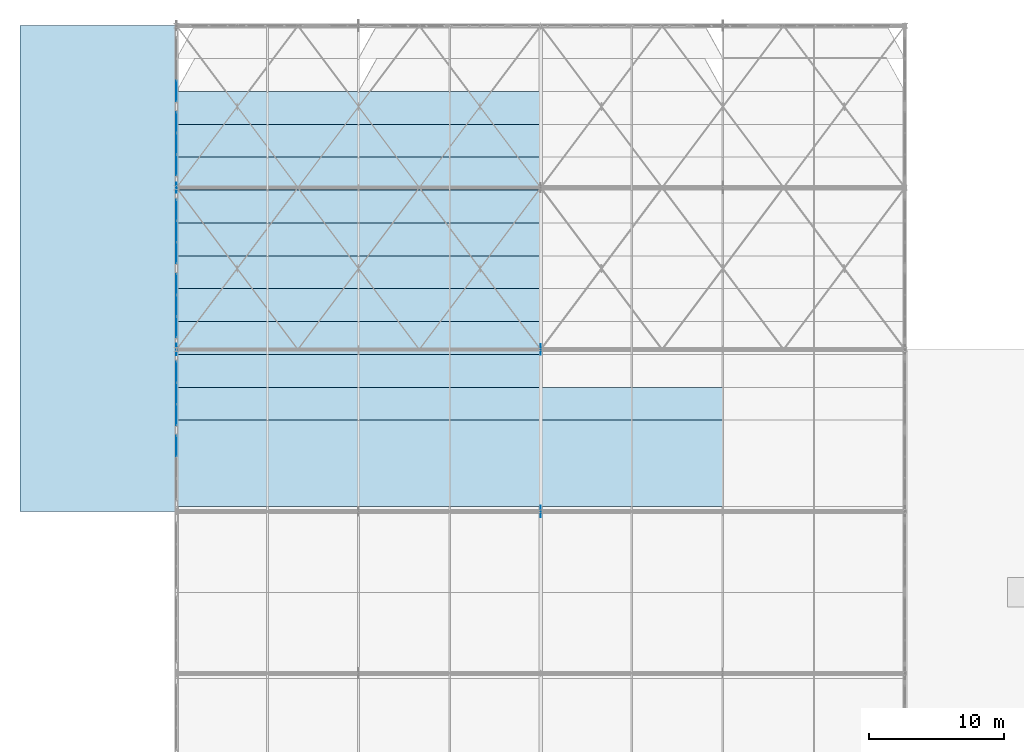
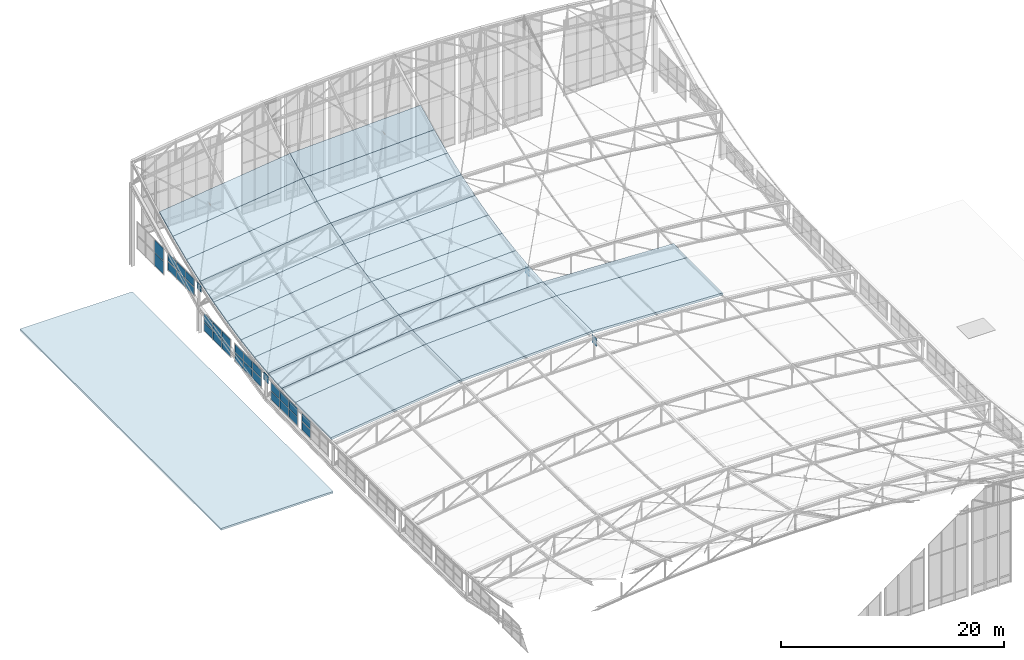
# One storey, part 225 of 262: 32 plates, 25 slabs, 6 elements without a shape of their own.
"""IFC4 building model written with IfcOpenShell, lengths in metres."""

import ifcopenshell
import ifcopenshell.guid

model = None  # the IFC model being written
_history = None  # IfcOwnerHistory: only IFC2X3 demands one
_inside = {}  # id of a spatial element -> (the spatial element, [elements in it])
_under = {}  # id of a project, library or spatial element -> (it, [spatial elements below it])
_declared = {}  # id of a project -> (the project, [libraries it declares])
_typed = {}  # id of a type object -> (the type object, [elements of that type])
_made_of = {}  # id of a material, layer set ... -> (it, [elements and type objects made of it])


def new_model(schema):
    """Start an empty IFC model of exactly this schema.

    Asked for "IFC4X3", IfcOpenShell would pick the latest addendum, in which some entities
    have other attributes; the version numbers below select the first issue.
    IFC2X3 requires an IfcOwnerHistory on every rooted entity: one is made here for all.
    """
    global model, _history
    if schema == "IFC4X3":
        model = ifcopenshell.file(schema_version=(4, 3, 0, 0))
    else:
        model = ifcopenshell.file(schema=schema)
    _inside.clear()
    _under.clear()
    _declared.clear()
    _typed.clear()
    _made_of.clear()
    _history = None
    if model.schema == "IFC2X3":
        org = make("IfcOrganization", Name="unknown")
        user = make(
            "IfcPersonAndOrganization",
            ThePerson=make("IfcPerson", FamilyName="unknown"),
            TheOrganization=org,
        )
        app = make(
            "IfcApplication",
            ApplicationDeveloper=org,
            Version="unknown",
            ApplicationFullName="unknown",
            ApplicationIdentifier="unknown",
        )
        _history = make(
            "IfcOwnerHistory",
            OwningUser=user,
            OwningApplication=app,
            ChangeAction="ADDED",
            CreationDate=0,
        )
    return model


def make(cls, **values):
    """One entity of the class cls with the attributes given. An attribute that is None is left unset."""
    return model.create_entity(
        cls, **{name: value for name, value in values.items() if value is not None}
    )


def rooted(cls, **values):
    """An entity with a GlobalId (a new one), such as an element, a storey or a relation."""
    return make(cls, GlobalId=ifcopenshell.guid.new(), OwnerHistory=_history, **values)


def si_unit(unit_type, name, prefix=None):
    """IfcSIUnit, for example si_unit("LENGTHUNIT", "METRE", prefix="MILLI")."""
    return make("IfcSIUnit", UnitType=unit_type, Prefix=prefix, Name=name)


def derived_unit(unit_type, elements):
    """IfcDerivedUnit: a product of units, each with its exponent."""
    return make(
        "IfcDerivedUnit",
        Elements=[
            make("IfcDerivedUnitElement", Unit=unit, Exponent=power)
            for unit, power in elements
        ],
        UnitType=unit_type,
    )


def assignment(units):
    """IfcUnitAssignment: the units of a project."""
    return None if units is None else make("IfcUnitAssignment", Units=units)


def point(xyz):
    """IfcCartesianPoint."""
    return None if xyz is None else make("IfcCartesianPoint", Coordinates=xyz)


def direction(xyz):
    """IfcDirection."""
    return None if xyz is None else make("IfcDirection", DirectionRatios=xyz)


def frame(location, z_axis=None, x_axis=None):
    """IfcAxis2Placement3D, a coordinate frame: its origin and axes. An axis left out is left unset."""
    return make(
        "IfcAxis2Placement3D",
        Location=point(location),
        Axis=direction(z_axis),
        RefDirection=direction(x_axis),
    )


def frame_2d(location, x_axis=None):
    """IfcAxis2Placement2D, a coordinate frame in the plane: its origin and x axis."""
    return make(
        "IfcAxis2Placement2D", Location=point(location), RefDirection=direction(x_axis)
    )


def origin():
    """The frame at (0, 0, 0) with its axes left unset."""
    return frame((0.0, 0.0, 0.0))


def origin_2d():
    """The frame at (0, 0) in the plane with its x axis left unset."""
    return frame_2d((0.0, 0.0))


def place(relative_to, where):
    """IfcLocalPlacement: puts the frame where relative to a parent placement (None: the world)."""
    return make(
        "IfcLocalPlacement", PlacementRelTo=relative_to, RelativePlacement=where
    )


def context(
    kind, dimensions, precision=None, world=None, true_north=None, identifier=None
):
    """IfcGeometricRepresentationContext, for example the 3D "Model" context."""
    return make(
        "IfcGeometricRepresentationContext",
        ContextIdentifier=identifier,
        ContextType=kind,
        CoordinateSpaceDimension=dimensions,
        Precision=precision,
        WorldCoordinateSystem=world,
        TrueNorth=true_north,
    )


def subcontext(parent, identifier, kind, view, scale=None):
    """IfcGeometricRepresentationSubContext, for example "Body" below "Model"."""
    return make(
        "IfcGeometricRepresentationSubContext",
        ContextIdentifier=identifier,
        ContextType=kind,
        ParentContext=parent,
        TargetScale=scale,
        TargetView=view,
    )


def project(units=None, contexts=None):
    """IfcProject with its units and contexts."""
    return rooted(
        "IfcProject",
        Name="project",
        RepresentationContexts=contexts,
        UnitsInContext=assignment(units),
    )


def spatial(cls, under=None, at=None, **own):
    """A site, building, storey or space (cls), placed at a placement, below another one or the project."""
    s = rooted(cls, ObjectPlacement=at, **own)
    if under is not None:
        _under.setdefault(under.id(), (under, []))[1].append(s)
    return s


def polyline(points):
    """IfcPolyline through the points."""
    return make("IfcPolyline", Points=[point(p) for p in points])


def profile(cls, at=None, kind="AREA", **sizes):
    """A parametric profile (cls). Its sizes go by their IFC names, for example OverallWidth=200.0."""
    return make(cls, ProfileType=kind, Position=at, **sizes)


def rectangle(**sizes):
    """IfcRectangleProfileDef."""
    return profile("IfcRectangleProfileDef", **sizes)


def outline(outer, holes=None, kind="AREA"):
    """IfcArbitraryClosedProfileDef: a profile drawn as a closed curve; with holes, ...WithVoids."""
    if holes is None:
        return make("IfcArbitraryClosedProfileDef", ProfileType=kind, OuterCurve=outer)
    return make(
        "IfcArbitraryProfileDefWithVoids",
        ProfileType=kind,
        OuterCurve=outer,
        InnerCurves=holes,
    )


def extrude(swept, where, along, depth):
    """IfcExtrudedAreaSolid: the profile swept, set in the frame where, extruded along a direction by depth."""
    return make(
        "IfcExtrudedAreaSolid",
        SweptArea=swept,
        Position=where,
        ExtrudedDirection=direction(along),
        Depth=depth,
    )


def shape(context_of_items, identifier, shape_type, items):
    """IfcShapeRepresentation: the items that make up one representation, for example the "Body"."""
    return make(
        "IfcShapeRepresentation",
        ContextOfItems=context_of_items,
        RepresentationIdentifier=identifier,
        RepresentationType=shape_type,
        Items=items,
    )


def material(Name=None, Category=None):
    """IfcMaterial."""
    return make("IfcMaterial", Name=Name, Category=Category)


def layer(
    of_material, thickness, ventilated=None, Name=None, Category=None, Priority=None
):
    """IfcMaterialLayer: one layer of a wall or slab, of a material (None: an air gap)."""
    return make(
        "IfcMaterialLayer",
        Material=of_material,
        LayerThickness=thickness,
        IsVentilated=ventilated,
        Name=Name,
        Category=Category,
        Priority=Priority,
    )


def layer_set(layers, Name=None):
    """IfcMaterialLayerSet."""
    return make("IfcMaterialLayerSet", MaterialLayers=layers, LayerSetName=Name)


def made_of(thing, what):
    """Note that an element or type object is made of a material, layer set ...; save() writes the relation."""
    if what is not None:
        _made_of.setdefault(what.id(), (what, []))[1].append(thing)
    return thing


def type_object(cls, material=None, **own):
    """A type object (cls), such as IfcWallType, which elements share."""
    return made_of(rooted(cls, **own), material)


def element(
    cls,
    number,
    at=None,
    inside=None,
    cuts=None,
    type_object=None,
    material=None,
    context=None,
    identifier="Body",
    shape_type=None,
    held_by="IfcProductDefinitionShape",
    body=None,
    shapes=None,
    **own,
):
    """One element of the class cls, such as IfcWall. Its Tag is "e" and its number.

    at: its placement. inside: the storey or other place that contains it. cuts: it is an
    opening in that element (IfcRelVoidsElement). A single representation is given by context,
    identifier, shape_type and body (its items); several are given by shapes. held_by: the class
    of the entity that holds the representations. save() writes the other relations.
    """
    e = rooted(cls, Tag="e%d" % number, ObjectPlacement=at, **own)
    if body is not None:
        shapes = [shape(context, identifier, shape_type, body)]
    if shapes is not None:
        e.Representation = make(held_by, Representations=shapes)
    if inside is not None:
        _inside.setdefault(inside.id(), (inside, []))[1].append(e)
    if cuts is not None:
        rooted(
            "IfcRelVoidsElement", RelatingBuildingElement=cuts, RelatedOpeningElement=e
        )
    if type_object is not None:
        _typed.setdefault(type_object.id(), (type_object, []))[1].append(e)
    return made_of(e, material)


def aggregate(whole, parts):
    """IfcRelAggregates: a whole, such as a stair, and the parts it consists of."""
    return rooted("IfcRelAggregates", RelatingObject=whole, RelatedObjects=parts)


def save(model, path):
    """Write the relations noted so far, then the file.

    IfcRelAggregates (storeys below a building ...), IfcRelContainedInSpatialStructure (elements
    in a storey), IfcRelDefinesByType, IfcRelAssociatesMaterial and IfcRelDeclares: one each for
    every whole, place, type object, material and project.
    """
    for whole, parts in _under.values():
        aggregate(whole, parts)
    for where, things in _inside.values():
        rooted(
            "IfcRelContainedInSpatialStructure",
            RelatedElements=things,
            RelatingStructure=where,
        )
    for kind, things in _typed.values():
        rooted("IfcRelDefinesByType", RelatedObjects=things, RelatingType=kind)
    for what, things in _made_of.values():
        rooted("IfcRelAssociatesMaterial", RelatedObjects=things, RelatingMaterial=what)
    for by, libraries in _declared.values():
        rooted("IfcRelDeclares", RelatingContext=by, RelatedDefinitions=libraries)
    model.write(path)


model = new_model("IFC4")

# Units and contexts
model_context = context("Model", 3, precision=1e-05, world=origin(), true_north=direction((0.0, 1.0)))
body_context = subcontext(model_context, "Body", "Model", "MODEL_VIEW")
ifc_project = project(units=[si_unit("LENGTHUNIT", "METRE"), si_unit("AREAUNIT", "SQUARE_METRE"), si_unit("VOLUMEUNIT", "CUBIC_METRE"), si_unit("PLANEANGLEUNIT", "RADIAN"), si_unit("MASSUNIT", "GRAM", prefix="KILO"), derived_unit("THERMALTRANSMITTANCEUNIT", [(si_unit("POWERUNIT", "WATT"), 1), (si_unit("LENGTHUNIT", "METRE"), -2), (si_unit("THERMODYNAMICTEMPERATUREUNIT", "KELVIN"), -1)])], contexts=[model_context])

# Site, building, storey
site_placement = place(None, origin())
site = spatial("IfcSite", under=ifc_project, at=site_placement, CompositionType="ELEMENT")
building_placement = place(site_placement, origin())
building = spatial("IfcBuilding", under=site, at=building_placement, Name="Almenara Railside Exhibition Hall", CompositionType="ELEMENT")
storey_placement = place(building_placement, frame((0.0, 0.0, 21.699951171875)))
storey = spatial("IfcBuildingStorey", under=building, at=storey_placement, Name="RF", CompositionType="ELEMENT", Elevation=21.699951171875)

# Curtain wall, plates
ifc_material_1 = material(Name="Bronze-anodised aluminium and low-E double glazing", Category="aluminium")
ifc_layer_1 = layer(ifc_material_1, 0.179931640625, Name="Bronze-anodised aluminium and low-E double glazing")
ifc_layer_set_1 = layer_set([ifc_layer_1], Name="Bronze-anodised aluminium and low-E double glazing")
curtain_wall_type = type_object("IfcCurtainWallType", Name="West Hall Clerestory Curtain Wall 4200x2400", PredefinedType="NOTDEFINED", material=ifc_layer_set_1)
curtain_wall_1_placement = place(storey_placement, origin())
curtain_wall_1 = element("IfcCurtainWall", 1, at=curtain_wall_1_placement, inside=storey, type_object=curtain_wall_type, Name="Curtain wall CW-CL1-185", PredefinedType="NOTDEFINED")
ifc_material_2 = material(Name="Solar-control acoustic laminated glazing", Category="glass")
ifc_layer_2 = layer(ifc_material_2, 0.031982421875, Name="Solar-control acoustic laminated glazing")
ifc_layer_set_2 = layer_set([ifc_layer_2], Name="Solar-control acoustic laminated glazing")
plate_type_1 = type_object("IfcPlateType", Name="Acoustic Low-E Double Glazing Panel 32mm", PredefinedType="CURTAIN_PANEL", material=ifc_layer_set_2)
plate_1_placement = place(storey_placement, frame((12.0, 103.1650390625, -1.9560546875), z_axis=(0.0, 0.0, 1.0), x_axis=(0.0, 1.0, 0.0)))
plate_1 = element("IfcPlate", 2, at=plate_1_placement, type_object=plate_type_1, Name="CW-CL1-185 panel 1.1", PredefinedType="CURTAIN_PANEL", context=body_context, shape_type="SweptSolid", body=[
    extrude(rectangle(XDim=1.52587890625, YDim=0.031982421875, at=origin_2d()), origin(), (0.0, 0.0, 1.0), 0.89208984375),
])
plate_2_placement = place(storey_placement, frame((12.0, 103.1650390625, -0.986083984375), z_axis=(0.0, 0.0, 1.0), x_axis=(0.0, 1.0, 0.0)))
plate_2 = element("IfcPlate", 3, at=plate_2_placement, type_object=plate_type_1, Name="CW-CL1-185 panel 1.2", PredefinedType="CURTAIN_PANEL", context=body_context, shape_type="SweptSolid", body=[
    extrude(rectangle(XDim=1.52587890625, YDim=0.031982421875, at=origin_2d()), origin(), (0.0, 0.0, 1.0), 0.89208984375),
])
plate_3_placement = place(storey_placement, frame((12.0, 104.75, -1.9560546875), z_axis=(0.0, 0.0, 1.0), x_axis=(0.0, 1.0, 0.0)))
plate_3 = element("IfcPlate", 4, at=plate_3_placement, type_object=plate_type_1, Name="CW-CL1-185 panel 2.1", PredefinedType="CURTAIN_PANEL", context=body_context, shape_type="SweptSolid", body=[
    extrude(rectangle(XDim=1.555908203125, YDim=0.031982421875, at=origin_2d()), origin(), (0.0, 0.0, 1.0), 0.89208984375),
])
plate_4_placement = place(storey_placement, frame((12.0, 104.75, -0.986083984375), z_axis=(0.0, 0.0, 1.0), x_axis=(0.0, 1.0, 0.0)))
plate_4 = element("IfcPlate", 5, at=plate_4_placement, type_object=plate_type_1, Name="CW-CL1-185 panel 2.2", PredefinedType="CURTAIN_PANEL", context=body_context, shape_type="SweptSolid", body=[
    extrude(rectangle(XDim=1.555908203125, YDim=0.031982421875, at=origin_2d()), origin(), (0.0, 0.0, 1.0), 0.89208984375),
])
plate_5_placement = place(storey_placement, frame((12.0, 106.3349609375, -1.9560546875), z_axis=(0.0, 0.0, 1.0), x_axis=(0.0, 1.0, 0.0)))
plate_5 = element("IfcPlate", 6, at=plate_5_placement, type_object=plate_type_1, Name="CW-CL1-185 panel 3.1", PredefinedType="CURTAIN_PANEL", context=body_context, shape_type="SweptSolid", body=[
    extrude(rectangle(XDim=1.52587890625, YDim=0.031982421875, at=origin_2d()), origin(), (0.0, 0.0, 1.0), 0.89208984375),
])
plate_6_placement = place(storey_placement, frame((12.0, 106.3349609375, -0.986083984375), z_axis=(0.0, 0.0, 1.0), x_axis=(0.0, 1.0, 0.0)))
plate_6 = element("IfcPlate", 7, at=plate_6_placement, type_object=plate_type_1, Name="CW-CL1-185 panel 3.2", PredefinedType="CURTAIN_PANEL", context=body_context, shape_type="SweptSolid", body=[
    extrude(rectangle(XDim=1.52587890625, YDim=0.031982421875, at=origin_2d()), origin(), (0.0, 0.0, 1.0), 0.89208984375),
])
aggregate(curtain_wall_1, [plate_1, plate_2, plate_3, plate_4, plate_5, plate_6])

curtain_wall_2_placement = place(storey_placement, origin())
curtain_wall_2 = element("IfcCurtainWall", 8, at=curtain_wall_2_placement, inside=storey, type_object=curtain_wall_type, Name="Curtain wall CW-CL1-192", PredefinedType="NOTDEFINED")
ifc_material_3 = material(Name="Clear low-E laminated double glazing", Category="glass")
ifc_layer_3 = layer(ifc_material_3, 0.02392578125, Name="Clear low-E laminated double glazing")
ifc_layer_set_3 = layer_set([ifc_layer_3], Name="Clear low-E laminated double glazing")
plate_type_2 = type_object("IfcPlateType", Name="Courtyard Clear Double Glazing Panel 24mm", PredefinedType="CURTAIN_PANEL", material=ifc_layer_set_3)
plate_7_placement = place(storey_placement, frame((12.0, 121.666259765625, 1.01416015625), z_axis=(0.0, 0.0, 1.0), x_axis=(0.0, 1.0, 0.0)))
plate_7 = element("IfcPlate", 9, at=plate_7_placement, type_object=plate_type_2, Name="CW-CL1-192 panel 1.1", PredefinedType="CURTAIN_PANEL", context=body_context, shape_type="SweptSolid", body=[
    extrude(rectangle(XDim=1.5185546875, YDim=0.02392578125, at=origin_2d()), origin(), (0.0, 0.0, 1.0), 0.846923828125),
])
plate_8_placement = place(storey_placement, frame((12.0, 121.666259765625, 1.96923828125), z_axis=(0.0, 0.0, 1.0), x_axis=(0.0, 1.0, 0.0)))
plate_8 = element("IfcPlate", 10, at=plate_8_placement, type_object=plate_type_2, Name="CW-CL1-192 panel 1.2", PredefinedType="CURTAIN_PANEL", context=body_context, shape_type="SweptSolid", body=[
    extrude(rectangle(XDim=1.5185546875, YDim=0.02392578125, at=origin_2d()), origin(), (0.0, 0.0, 1.0), 0.846923828125),
])
plate_9_placement = place(storey_placement, frame((12.0, 123.25, 1.01416015625), z_axis=(0.0, 0.0, 1.0), x_axis=(0.0, 1.0, 0.0)))
plate_9 = element("IfcPlate", 11, at=plate_9_placement, type_object=plate_type_2, Name="CW-CL1-192 panel 2.1", PredefinedType="CURTAIN_PANEL", context=body_context, shape_type="SweptSolid", body=[
    extrude(rectangle(XDim=1.551025390625, YDim=0.02392578125, at=origin_2d()), origin(), (0.0, 0.0, 1.0), 0.846923828125),
])
plate_10_placement = place(storey_placement, frame((12.0, 123.25, 1.96923828125), z_axis=(0.0, 0.0, 1.0), x_axis=(0.0, 1.0, 0.0)))
plate_10 = element("IfcPlate", 12, at=plate_10_placement, type_object=plate_type_2, Name="CW-CL1-192 panel 2.2", PredefinedType="CURTAIN_PANEL", context=body_context, shape_type="SweptSolid", body=[
    extrude(rectangle(XDim=1.551025390625, YDim=0.02392578125, at=origin_2d()), origin(), (0.0, 0.0, 1.0), 0.846923828125),
])
plate_11_placement = place(storey_placement, frame((12.0, 124.833740234375, 1.01416015625), z_axis=(0.0, 0.0, 1.0), x_axis=(0.0, 1.0, 0.0)))
plate_11 = element("IfcPlate", 13, at=plate_11_placement, type_object=plate_type_2, Name="CW-CL1-192 panel 3.1", PredefinedType="CURTAIN_PANEL", context=body_context, shape_type="SweptSolid", body=[
    extrude(rectangle(XDim=1.5185546875, YDim=0.02392578125, at=origin_2d()), origin(), (0.0, 0.0, 1.0), 0.846923828125),
])
plate_12_placement = place(storey_placement, frame((12.0, 124.833740234375, 1.96923828125), z_axis=(0.0, 0.0, 1.0), x_axis=(0.0, 1.0, 0.0)))
plate_12 = element("IfcPlate", 14, at=plate_12_placement, type_object=plate_type_2, Name="CW-CL1-192 panel 3.2", PredefinedType="CURTAIN_PANEL", context=body_context, shape_type="SweptSolid", body=[
    extrude(rectangle(XDim=1.5185546875, YDim=0.02392578125, at=origin_2d()), origin(), (0.0, 0.0, 1.0), 0.846923828125),
])
aggregate(curtain_wall_2, [plate_7, plate_8, plate_9, plate_10, plate_11, plate_12])

# Slabs
ifc_material_4 = material(Name="Planted green roof insulated steel S355JR deck", Category="steel")
ifc_layer_4 = layer(ifc_material_4, 0.2451171875, Name="Planted green roof insulated steel S355JR deck")
ifc_layer_set_4 = layer_set([ifc_layer_4], Name="Planted green roof insulated steel S355JR deck")
slab_type_1 = type_object("IfcSlabType", Name="Flat Planted Hall Roof Deck 245mm S355JR", PredefinedType="ROOF", material=ifc_layer_set_4)
slab_1_placement = place(storey_placement, frame((12.0, 96.3798828125, 0.340087890625), z_axis=(-0.121312355276, 0.0, 0.992614382556), x_axis=(0.992614382556, 0.0, 0.121312355276)))
element("IfcSlab", 15, at=slab_1_placement, inside=storey, type_object=slab_type_1, Name="V1 roof cassette RC-V1-16A", PredefinedType="ROOF", context=body_context, shape_type="SweptSolid", body=[
    extrude(outline(polyline([(0.0, 0.0), (13.600447703804157, 0.0), (13.600447703804157, 6.379638671875), (0.0, 6.379638671875), (0.0, 0.0)])), origin(), (0.0, 0.0, -1.0), 0.2451171875),
])
for number, where, z_axis, x_axis, name in (
    (16, (25.5, 96.3798828125, 1.989990234375), (-0.04071057978, 0.0, 0.99917098071), (0.99917098071, 0.0, 0.04071057978), "V1 roof cassette RC-V1-16B"),
    (17, (39.0, 96.3798828125, 2.5400390625), (0.04071057978, 0.0, 0.99917098071), (0.99917098071, 0.0, -0.04071057978), "V1 roof cassette RC-V1-16C"),
):
    element("IfcSlab", number, at=place(storey_placement, frame(where, z_axis=z_axis, x_axis=x_axis)), inside=storey, type_object=slab_type_1, Name=name, PredefinedType="ROOF", context=body_context, shape_type="SweptSolid", body=[
        extrude(outline(polyline([(0.0, 0.0), (13.511201046291989, 0.0), (13.511201046291989, 6.379638671875), (0.0, 6.379638671875), (0.0, 0.0)])), origin(), (0.0, 0.0, -1.0), 0.2451171875),
    ])

# Curtain wall, plates
curtain_wall_3_placement = place(storey_placement, origin())
curtain_wall_3 = element("IfcCurtainWall", 18, at=curtain_wall_3_placement, inside=storey, type_object=curtain_wall_type, Name="Curtain wall CW-CL1-188", PredefinedType="NOTDEFINED")
ifc_material_5 = material(Name="Bronze-anodised insulated aluminium spandrel", Category="aluminium")
ifc_layer_5 = layer(ifc_material_5, 0.0400390625, Name="Bronze-anodised insulated aluminium spandrel")
ifc_layer_set_5 = layer_set([ifc_layer_5], Name="Bronze-anodised insulated aluminium spandrel")
plate_type_3 = type_object("IfcPlateType", Name="Insulated Bronze Spandrel Panel 40mm", PredefinedType="CURTAIN_PANEL", material=ifc_layer_set_5)
plate_13_placement = place(storey_placement, frame((12.0, 109.666259765625, -1.666015625), z_axis=(0.0, 0.0, 1.0), x_axis=(0.0, 1.0, 0.0)))
plate_13 = element("IfcPlate", 19, at=plate_13_placement, type_object=plate_type_3, Name="CW-CL1-188 panel 1.1", PredefinedType="CURTAIN_PANEL", context=body_context, shape_type="SweptSolid", body=[
    extrude(rectangle(XDim=1.5185546875, YDim=0.0400390625, at=origin_2d()), origin(), (0.0, 0.0, 1.0), 0.846923828125),
])
plate_14_placement = place(storey_placement, frame((12.0, 109.666259765625, -0.7109375), z_axis=(0.0, 0.0, 1.0), x_axis=(0.0, 1.0, 0.0)))
plate_14 = element("IfcPlate", 20, at=plate_14_placement, type_object=plate_type_3, Name="CW-CL1-188 panel 1.2", PredefinedType="CURTAIN_PANEL", context=body_context, shape_type="SweptSolid", body=[
    extrude(rectangle(XDim=1.5185546875, YDim=0.0400390625, at=origin_2d()), origin(), (0.0, 0.0, 1.0), 0.846923828125),
])
plate_15_placement = place(storey_placement, frame((12.0, 111.25, -1.666015625), z_axis=(0.0, 0.0, 1.0), x_axis=(0.0, 1.0, 0.0)))
plate_15 = element("IfcPlate", 21, at=plate_15_placement, type_object=plate_type_3, Name="CW-CL1-188 panel 2.1", PredefinedType="CURTAIN_PANEL", context=body_context, shape_type="SweptSolid", body=[
    extrude(rectangle(XDim=1.551025390625, YDim=0.0400390625, at=origin_2d()), origin(), (0.0, 0.0, 1.0), 0.846923828125),
])
plate_16_placement = place(storey_placement, frame((12.0, 111.25, -0.7109375), z_axis=(0.0, 0.0, 1.0), x_axis=(0.0, 1.0, 0.0)))
plate_16 = element("IfcPlate", 22, at=plate_16_placement, type_object=plate_type_3, Name="CW-CL1-188 panel 2.2", PredefinedType="CURTAIN_PANEL", context=body_context, shape_type="SweptSolid", body=[
    extrude(rectangle(XDim=1.551025390625, YDim=0.0400390625, at=origin_2d()), origin(), (0.0, 0.0, 1.0), 0.846923828125),
])
plate_17_placement = place(storey_placement, frame((12.0, 112.833740234375, -1.666015625), z_axis=(0.0, 0.0, 1.0), x_axis=(0.0, 1.0, 0.0)))
plate_17 = element("IfcPlate", 23, at=plate_17_placement, type_object=plate_type_3, Name="CW-CL1-188 panel 3.1", PredefinedType="CURTAIN_PANEL", context=body_context, shape_type="SweptSolid", body=[
    extrude(rectangle(XDim=1.5185546875, YDim=0.0400390625, at=origin_2d()), origin(), (0.0, 0.0, 1.0), 0.846923828125),
])
plate_18_placement = place(storey_placement, frame((12.0, 112.833740234375, -0.7109375), z_axis=(0.0, 0.0, 1.0), x_axis=(0.0, 1.0, 0.0)))
plate_18 = element("IfcPlate", 24, at=plate_18_placement, type_object=plate_type_3, Name="CW-CL1-188 panel 3.2", PredefinedType="CURTAIN_PANEL", context=body_context, shape_type="SweptSolid", body=[
    extrude(rectangle(XDim=1.5185546875, YDim=0.0400390625, at=origin_2d()), origin(), (0.0, 0.0, 1.0), 0.846923828125),
])
aggregate(curtain_wall_3, [plate_13, plate_14, plate_15, plate_16, plate_17, plate_18])

curtain_wall_4_placement = place(storey_placement, origin())
curtain_wall_4 = element("IfcCurtainWall", 25, at=curtain_wall_4_placement, inside=storey, type_object=curtain_wall_type, Name="Curtain wall CW-CL1-193", PredefinedType="NOTDEFINED")
plate_19_placement = place(storey_placement, frame((12.0, 127.1650390625, 0.0439453125), z_axis=(0.0, 0.0, 1.0), x_axis=(0.0, 1.0, 0.0)))
plate_19 = element("IfcPlate", 26, at=plate_19_placement, type_object=plate_type_3, Name="CW-CL1-193 panel 1.1", PredefinedType="CURTAIN_PANEL", context=body_context, shape_type="SweptSolid", body=[
    extrude(rectangle(XDim=1.52587890625, YDim=0.0400390625, at=origin_2d()), origin(), (0.0, 0.0, 1.0), 1.362060546875),
])
plate_20_placement = place(storey_placement, frame((12.0, 127.1650390625, 1.48388671875), z_axis=(0.0, 0.0, 1.0), x_axis=(0.0, 1.0, 0.0)))
plate_20 = element("IfcPlate", 27, at=plate_20_placement, type_object=plate_type_3, Name="CW-CL1-193 panel 1.2", PredefinedType="CURTAIN_PANEL", context=body_context, shape_type="SweptSolid", body=[
    extrude(rectangle(XDim=1.52587890625, YDim=0.0400390625, at=origin_2d()), origin(), (0.0, 0.0, 1.0), 1.362060546875),
])
aggregate(curtain_wall_4, [plate_19, plate_20])

curtain_wall_5_placement = place(storey_placement, origin())
curtain_wall_5 = element("IfcCurtainWall", 28, at=curtain_wall_5_placement, inside=storey, type_object=curtain_wall_type, Name="Curtain wall CW-CL1-184", PredefinedType="NOTDEFINED")
ifc_layer_6 = layer(ifc_material_5, 0.034912109375, Name="Bronze-anodised insulated aluminium spandrel")
ifc_layer_set_6 = layer_set([ifc_layer_6], Name="Bronze-anodised insulated aluminium spandrel")
plate_type_4 = type_object("IfcPlateType", Name="Insulated Stucco-Tone Spandrel Panel 35mm", PredefinedType="CURTAIN_PANEL", material=ifc_layer_set_6)
plate_21_placement = place(storey_placement, frame((12.0, 100.833740234375, -1.92578125), z_axis=(0.0, 0.0, 1.0), x_axis=(0.0, 1.0, 0.0)))
plate_21 = element("IfcPlate", 29, at=plate_21_placement, type_object=plate_type_4, Name="CW-CL1-184 panel 3.1", PredefinedType="CURTAIN_PANEL", context=body_context, shape_type="SweptSolid", body=[
    extrude(rectangle(XDim=1.5185546875, YDim=0.034912109375, at=origin_2d()), origin(), (0.0, 0.0, 1.0), 0.846923828125),
])
plate_22_placement = place(storey_placement, frame((12.0, 100.833740234375, -0.970703125), z_axis=(0.0, 0.0, 1.0), x_axis=(0.0, 1.0, 0.0)))
plate_22 = element("IfcPlate", 30, at=plate_22_placement, type_object=plate_type_4, Name="CW-CL1-184 panel 3.2", PredefinedType="CURTAIN_PANEL", context=body_context, shape_type="SweptSolid", body=[
    extrude(rectangle(XDim=1.5185546875, YDim=0.034912109375, at=origin_2d()), origin(), (0.0, 0.0, 1.0), 0.846923828125),
])
aggregate(curtain_wall_5, [plate_21, plate_22])

curtain_wall_6_placement = place(storey_placement, origin())
curtain_wall_6 = element("IfcCurtainWall", 31, at=curtain_wall_6_placement, inside=storey, type_object=curtain_wall_type, Name="Curtain wall CW-CL1-189", PredefinedType="NOTDEFINED")
plate_23_placement = place(storey_placement, frame((12.0, 115.1650390625, -1.696044921875), z_axis=(0.0, 0.0, 1.0), x_axis=(0.0, 1.0, 0.0)))
plate_23 = element("IfcPlate", 32, at=plate_23_placement, type_object=plate_type_4, Name="CW-CL1-189 panel 1.1", PredefinedType="CURTAIN_PANEL", context=body_context, shape_type="SweptSolid", body=[
    extrude(rectangle(XDim=1.52587890625, YDim=0.034912109375, at=origin_2d()), origin(), (0.0, 0.0, 1.0), 0.89208984375),
])
plate_24_placement = place(storey_placement, frame((12.0, 115.1650390625, -0.72607421875), z_axis=(0.0, 0.0, 1.0), x_axis=(0.0, 1.0, 0.0)))
plate_24 = element("IfcPlate", 33, at=plate_24_placement, type_object=plate_type_4, Name="CW-CL1-189 panel 1.2", PredefinedType="CURTAIN_PANEL", context=body_context, shape_type="SweptSolid", body=[
    extrude(rectangle(XDim=1.52587890625, YDim=0.034912109375, at=origin_2d()), origin(), (0.0, 0.0, 1.0), 0.89208984375),
])
plate_25_placement = place(storey_placement, frame((12.0, 116.75, -1.696044921875), z_axis=(0.0, 0.0, 1.0), x_axis=(0.0, 1.0, 0.0)))
plate_25 = element("IfcPlate", 34, at=plate_25_placement, type_object=plate_type_4, Name="CW-CL1-189 panel 2.1", PredefinedType="CURTAIN_PANEL", context=body_context, shape_type="SweptSolid", body=[
    extrude(rectangle(XDim=1.555908203125, YDim=0.034912109375, at=origin_2d()), origin(), (0.0, 0.0, 1.0), 0.89208984375),
])
plate_26_placement = place(storey_placement, frame((12.0, 116.75, -0.72607421875), z_axis=(0.0, 0.0, 1.0), x_axis=(0.0, 1.0, 0.0)))
plate_26 = element("IfcPlate", 35, at=plate_26_placement, type_object=plate_type_4, Name="CW-CL1-189 panel 2.2", PredefinedType="CURTAIN_PANEL", context=body_context, shape_type="SweptSolid", body=[
    extrude(rectangle(XDim=1.555908203125, YDim=0.034912109375, at=origin_2d()), origin(), (0.0, 0.0, 1.0), 0.89208984375),
])
plate_27_placement = place(storey_placement, frame((12.0, 118.3349609375, -1.696044921875), z_axis=(0.0, 0.0, 1.0), x_axis=(0.0, 1.0, 0.0)))
plate_27 = element("IfcPlate", 36, at=plate_27_placement, type_object=plate_type_4, Name="CW-CL1-189 panel 3.1", PredefinedType="CURTAIN_PANEL", context=body_context, shape_type="SweptSolid", body=[
    extrude(rectangle(XDim=1.52587890625, YDim=0.034912109375, at=origin_2d()), origin(), (0.0, 0.0, 1.0), 0.89208984375),
])
plate_28_placement = place(storey_placement, frame((12.0, 118.3349609375, -0.72607421875), z_axis=(0.0, 0.0, 1.0), x_axis=(0.0, 1.0, 0.0)))
plate_28 = element("IfcPlate", 37, at=plate_28_placement, type_object=plate_type_4, Name="CW-CL1-189 panel 3.2", PredefinedType="CURTAIN_PANEL", context=body_context, shape_type="SweptSolid", body=[
    extrude(rectangle(XDim=1.52587890625, YDim=0.034912109375, at=origin_2d()), origin(), (0.0, 0.0, 1.0), 0.89208984375),
])
aggregate(curtain_wall_6, [plate_23, plate_24, plate_25, plate_26, plate_27, plate_28])

# Slabs
ifc_material_6 = material(Name="White standing-seam insulated steel S355JR roof deck", Category="steel")
ifc_layer_7 = layer(ifc_material_6, 0.195068359375, Name="White standing-seam insulated steel S355JR roof deck")
ifc_layer_set_7 = layer_set([ifc_layer_7], Name="White standing-seam insulated steel S355JR roof deck")
slab_type_2 = type_object("IfcSlabType", Name="Scroll Standing-Seam Insulated Roof Cassette 195mm S355JR", PredefinedType="ROOF", material=ifc_layer_set_7)
slab_2_placement = place(storey_placement, frame((12.0, 102.759521484375, 0.340087890625), z_axis=(-0.121279519792, -0.023265093355, 0.992345712698), x_axis=(0.992614382556, 0.0, 0.121312355276)))
element("IfcSlab", 38, at=slab_2_placement, inside=storey, type_object=slab_type_2, Name="V1 roof cassette RC-V1-17A", PredefinedType="ROOF", context=body_context, shape_type="SweptSolid", body=[
    extrude(outline(polyline([(0.0, 0.0), (13.600447703804157, 0.0), (13.607378145975659, 2.437427313932009), (0.006930442171501791, 2.4374273139320084), (0.0, 0.0)])), origin(), (0.0, 0.0, -1.0), 0.195068359375),
])
slab_3_placement = place(storey_placement, frame((25.5, 102.759521484375, 1.989990234375), z_axis=(-0.040699414701, -0.023418684202, 0.99889695308), x_axis=(0.99917098071, 0.0, 0.04071057978)))
element("IfcSlab", 39, at=slab_3_placement, inside=storey, type_object=slab_type_2, Name="V1 roof cassette RC-V1-17B", PredefinedType="ROOF", context=body_context, shape_type="SweptSolid", body=[
    extrude(outline(polyline([(0.0, 0.0), (13.511201046291989, 0.0), (13.51352679718765, 2.4374360571332483), (0.0023257508956614483, 2.437436057133248), (0.0, 0.0)])), origin(), (0.0, 0.0, -1.0), 0.195068359375),
])
slab_4_placement = place(storey_placement, frame((39.0, 102.759521484375, 2.5400390625), z_axis=(0.040699414701, -0.023418684202, 0.99889695308), x_axis=(0.99917098071, 0.0, -0.04071057978)))
element("IfcSlab", 40, at=slab_4_placement, inside=storey, type_object=slab_type_2, Name="V1 roof cassette RC-V1-17C", PredefinedType="ROOF", context=body_context, shape_type="SweptSolid", body=[
    extrude(outline(polyline([(0.0, 0.0), (13.511201046291989, 0.0), (13.508875295396328, 2.437436057133248), (-0.0023257508956614483, 2.437436057133248), (0.0, 0.0)])), origin(), (0.0, 0.0, -1.0), 0.195068359375),
])
slab_5_placement = place(storey_placement, frame((12.0, 105.1962890625, 0.397216796875), z_axis=(-0.121025359122, -0.069792671838, 0.990192832436), x_axis=(0.99261330699, -6.20278e-07, 0.121321155559)))
element("IfcSlab", 41, at=slab_5_placement, inside=storey, type_object=slab_type_2, Name="V1 roof cassette RC-V1-18A", PredefinedType="ROOF", context=body_context, shape_type="SweptSolid", body=[
    extrude(outline(polyline([(0.0, 0.0), (13.60044770326703, -2.7755575615628914e-17), (13.621298265405086, 2.442732585625039), (0.020820942715312124, 2.442715672243724), (0.0, 0.0)])), origin(), (0.0, 0.0, -1.0), 0.195068359375),
])
slab_6_placement = place(storey_placement, frame((25.5, 105.1962890625, 2.047119140625), z_axis=(-0.040600999075, -0.070251513229, 0.996702705807), x_axis=(0.999171346361, 6.32612e-07, 0.040701604515)))
element("IfcSlab", 42, at=slab_6_placement, inside=storey, type_object=slab_type_2, Name="V1 roof cassette RC-V1-18B", PredefinedType="ROOF", context=body_context, shape_type="SweptSolid", body=[
    extrude(outline(polyline([(0.0, 0.0), (13.51120104574418, 1.3877787807814457e-17), (13.518188238633453, 2.442794413376503), (0.006997129804437832, 2.4428115504061347), (0.0, 0.0)])), origin(), (0.0, 0.0, -1.0), 0.195068359375),
])
slab_7_placement = place(storey_placement, frame((12.0, 107.633056640625, 0.56884765625), z_axis=(-0.12049765247, -0.116319455065, 0.985875296436), x_axis=(0.9926132871, 1.029272e-06, 0.121321318287)))
element("IfcSlab", 43, at=slab_7_placement, inside=storey, type_object=slab_type_2, Name="V1 roof cassette RC-V1-19A", PredefinedType="ROOF", context=body_context, shape_type="SweptSolid", body=[
    extrude(outline(polyline([(0.0, 0.0), (13.600477322704963, 2.7755575615628914e-17), (13.635341937880856, 2.453161826817447), (0.03489423463836595, 2.453190015321505), (0.0, 0.0)])), origin(), (0.0, 0.0, -1.0), 0.195068359375),
])
slab_8_placement = place(storey_placement, frame((25.5, 107.633056640625, 2.218994140625), z_axis=(-0.040421646666, -0.117077460269, 0.992299833104), x_axis=(0.999171353211, -1.049621e-06, 0.040701436365)))
element("IfcSlab", 44, at=slab_8_placement, inside=storey, type_object=slab_type_2, Name="V1 roof cassette RC-V1-19B", PredefinedType="ROOF", context=body_context, shape_type="SweptSolid", body=[
    extrude(outline(polyline([(0.0, 0.0), (13.511191108844713, 2.7755575615628914e-17), (13.522894189122315, 2.453410258519101), (0.011693143403489061, 2.453381698829933), (0.0, 0.0)])), origin(), (0.0, 0.0, -1.0), 0.195068359375),
])
slab_9_placement = place(storey_placement, frame((12.0, 110.069580078125, 0.8564453125), z_axis=(-0.119692276774, -0.162882973753, 0.979358410257), x_axis=(0.992614382556, 0.0, 0.121312355276)))
element("IfcSlab", 45, at=slab_9_placement, inside=storey, type_object=slab_type_2, Name="V1 roof cassette RC-V1-20A", PredefinedType="ROOF", context=body_context, shape_type="SweptSolid", body=[
    extrude(outline(polyline([(0.0, 0.0), (13.600447703804157, -5.551115123125783e-17), (13.649612379037887, 2.4697501136053037), (0.04916467523373066, 2.4697501136053033), (0.0, 0.0)])), origin(), (0.0, 0.0, -1.0), 0.195068359375),
])
slab_10_placement = place(storey_placement, frame((25.5, 110.069580078125, 2.50634765625), z_axis=(-0.040159845601, -0.163930057659, 0.985654159935), x_axis=(0.99917098071, 0.0, 0.04071057978)))
element("IfcSlab", 46, at=slab_10_placement, inside=storey, type_object=slab_type_2, Name="V1 roof cassette RC-V1-20B", PredefinedType="ROOF", context=body_context, shape_type="SweptSolid", body=[
    extrude(outline(polyline([(0.0, 0.0), (13.511201046291989, 0.0), (13.527699962902236, 2.4701843199840234), (0.016498916610247882, 2.4701843199840234), (0.0, 0.0)])), origin(), (0.0, 0.0, -1.0), 0.195068359375),
])
slab_11_placement = place(storey_placement, frame((12.0, 112.50634765625, 1.26171875), z_axis=(-0.118621204228, -0.209464052234, 0.970594570729), x_axis=(0.992614382556, 0.0, 0.121312355276)))
element("IfcSlab", 47, at=slab_11_placement, inside=storey, type_object=slab_type_2, Name="V1 roof cassette RC-V1-21A", PredefinedType="ROOF", context=body_context, shape_type="SweptSolid", body=[
    extrude(outline(polyline([(0.0, 0.0), (13.600447703804157, 5.551115123125783e-17), (13.664243312511058, 2.492050355460257), (0.0637956087069011, 2.4920503554602567), (0.0, 0.0)])), origin(), (0.0, 0.0, -1.0), 0.195068359375),
])
slab_12_placement = place(storey_placement, frame((25.5, 112.50634765625, 2.91162109375), z_axis=(-0.039795900698, -0.210786361166, 0.976721759886), x_axis=(0.99917098071, 0.0, 0.04071057978)))
element("IfcSlab", 48, at=slab_12_placement, inside=storey, type_object=slab_type_2, Name="V1 roof cassette RC-V1-21B", PredefinedType="ROOF", context=body_context, shape_type="SweptSolid", body=[
    extrude(outline(polyline([(0.0, 0.0), (13.511201046291989, 1.3877787807814457e-17), (13.532609881459743, 2.4927748626012405), (0.021408835167755384, 2.4927748626012405), (0.0, 0.0)])), origin(), (0.0, 0.0, -1.0), 0.195068359375),
])
slab_13_placement = place(storey_placement, frame((12.0, 114.943115234375, 1.78759765625), z_axis=(-0.117269500977, -0.256010464129, 0.959534525901), x_axis=(0.992614382556, 0.0, 0.121312355276)))
element("IfcSlab", 49, at=slab_13_placement, inside=storey, type_object=slab_type_2, Name="V1 roof cassette RC-V1-22A", PredefinedType="ROOF", context=body_context, shape_type="SweptSolid", body=[
    extrude(outline(polyline([(0.0, 0.0), (13.600447703804157, 0.0), (13.679318505097786, 2.5207748962669503), (0.07887080129362936, 2.5207748962669503), (0.0, 0.0)])), origin(), (0.0, 0.0, -1.0), 0.195068359375),
])
slab_14_placement = place(storey_placement, frame((25.5, 114.943115234375, 3.4375), z_axis=(-0.03933677698, -0.257589650078, 0.965453359904), x_axis=(0.99917098071, 0.0, 0.04071057978)))
element("IfcSlab", 50, at=slab_14_placement, inside=storey, type_object=slab_type_2, Name="V1 roof cassette RC-V1-22B", PredefinedType="ROOF", context=body_context, shape_type="SweptSolid", body=[
    extrude(outline(polyline([(0.0, 0.0), (13.511201046291989, 0.0), (13.537668886613126, 2.521869571245723), (0.026467840321138622, 2.521869571245723), (0.0, 0.0)])), origin(), (0.0, 0.0, -1.0), 0.195068359375),
])
slab_15_placement = place(storey_placement, frame((12.0, 117.3798828125, 2.437744140625), z_axis=(-0.115631959608, -0.302636738993, 0.94606567115), x_axis=(0.992613400717, -2.569803e-06, 0.12132038868)))
element("IfcSlab", 51, at=slab_15_placement, inside=storey, type_object=slab_type_2, Name="V1 roof cassette RC-V1-23A", PredefinedType="ROOF", context=body_context, shape_type="SweptSolid", body=[
    extrude(outline(polyline([(0.0, 0.0), (13.600447703313835, 5.551115123125783e-17), (13.695015660937221, 2.556440405051969), (0.0945383383878699, 2.556367064822519), (0.0, 0.0)])), origin(), (0.0, 0.0, -1.0), 0.195068359375),
])
slab_16_placement = place(storey_placement, frame((25.5, 117.3798828125, 4.087646484375), z_axis=(-0.038777399799, -0.304494593807, 0.951724411585), x_axis=(0.99917098071, 0.0, 0.04071057978)))
element("IfcSlab", 52, at=slab_16_placement, inside=storey, type_object=slab_type_2, Name="V1 roof cassette RC-V1-23B", PredefinedType="ROOF", context=body_context, shape_type="SweptSolid", body=[
    extrude(outline(polyline([(0.0, 0.0), (13.511201046291989, 0.0), (13.542936613000736, 2.557992085666832), (0.03173556670874788, 2.557992085666832), (0.0, 0.0)])), origin(), (0.0, 0.0, -1.0), 0.195068359375),
])
slab_17_placement = place(storey_placement, frame((12.0, 119.81640625, 3.217041015625), z_axis=(-0.113689134993, -0.349265556374, 0.93010125885), x_axis=(0.992612220818, 0.0, 0.121330041965)))
element("IfcSlab", 53, at=slab_17_placement, inside=storey, type_object=slab_type_2, Name="V1 roof cassette RC-V1-24A", PredefinedType="ROOF", context=body_context, shape_type="SweptSolid", body=[
    extrude(outline(polyline([(0.0, 0.0), (13.600477323237415, 0.0), (13.711499051090328, 2.600539730834084), (0.11102172785291241, 2.600539730834084), (0.0, 0.0)])), origin(), (0.0, 0.0, -1.0), 0.195068359375),
])
slab_18_placement = place(storey_placement, frame((25.5, 119.81640625, 4.8671875), z_axis=(-0.038115969666, -0.351289382745, 0.935490749514), x_axis=(0.99917098071, 0.0, 0.04071057978)))
element("IfcSlab", 54, at=slab_18_placement, inside=storey, type_object=slab_type_2, Name="V1 roof cassette RC-V1-24B", PredefinedType="ROOF", context=body_context, shape_type="SweptSolid", body=[
    extrude(outline(polyline([(0.0, 0.0), (13.511201046291989, 0.0), (13.548452817048139, 2.6026419310534425), (0.037251770756150035, 2.602641931053442), (0.0, 0.0)])), origin(), (0.0, 0.0, -1.0), 0.195068359375),
])
slab_19_placement = place(storey_placement, frame((12.0, 122.253173828125, 4.132080078125), z_axis=(-0.111406823331, -0.395931745169, 0.911496885833), x_axis=(0.99261313228, 3.239153e-06, 0.121322584932)))
element("IfcSlab", 55, at=slab_19_placement, inside=storey, type_object=slab_type_2, Name="V1 roof cassette RC-V1-25A", PredefinedType="ROOF", context=body_context, shape_type="SweptSolid", body=[
    extrude(outline(polyline([(0.0, 0.0), (13.600477322782274, 0.0), (13.728886926216163, 2.653573267658359), (0.12843922320560244, 2.6536692165570113), (0.0, 0.0)])), origin(), (0.0, 0.0, -1.0), 0.195068359375),
])
slab_20_placement = place(storey_placement, frame((25.5, 122.253173828125, 5.7822265625), z_axis=(-0.037345607849, -0.398095348831, 0.9165835471), x_axis=(0.99917098071, 0.0, 0.04071057978)))
element("IfcSlab", 56, at=slab_20_placement, inside=storey, type_object=slab_type_2, Name="V1 roof cassette RC-V1-25B", PredefinedType="ROOF", context=body_context, shape_type="SweptSolid", body=[
    extrude(outline(polyline([(0.0, 0.0), (13.511201046291989, 5.551115123125783e-17), (13.554287072500076, 2.65632899314279), (0.04308602620808709, 2.6563289931427896), (0.0, 0.0)])), origin(), (0.0, 0.0, -1.0), 0.195068359375),
])
slab_21_placement = place(storey_placement, frame((12.0, 124.68994140625, 5.190673828125), z_axis=(-0.108779023727, -0.442668279908, 0.890062873038), x_axis=(0.992614382556, 0.0, 0.121312355276)))
element("IfcSlab", 57, at=slab_21_placement, inside=storey, type_object=slab_type_2, Name="V1 roof cassette RC-V1-26A", PredefinedType="ROOF", context=body_context, shape_type="SweptSolid", body=[
    extrude(outline(polyline([(0.0, 0.0), (13.600447703804157, 0.0), (13.747467853117554, 2.717527736819313), (0.14702014931339696, 2.717527736819313), (0.0, 0.0)])), origin(), (0.0, 0.0, -1.0), 0.195068359375),
])
slab_22_placement = place(storey_placement, frame((25.5, 124.68994140625, 6.840576171875), z_axis=(-0.036457270547, -0.445014736902, 0.894780839851), x_axis=(0.99917098071, 0.0, 0.04071057978)))
element("IfcSlab", 58, at=slab_22_placement, inside=storey, type_object=slab_type_2, Name="V1 roof cassette RC-V1-26B", PredefinedType="ROOF", context=body_context, shape_type="SweptSolid", body=[
    extrude(outline(polyline([(0.0, 0.0), (13.511201046291989, 2.7755575615628914e-17), (13.560538770420465, 2.721054522361552), (0.049337724128476194, 2.721054522361552), (0.0, 0.0)])), origin(), (0.0, 0.0, -1.0), 0.195068359375),
])
slab_23_placement = place(storey_placement, frame((0.0, 0.0, -5.494873046875)))
element("IfcSlab", 59, at=slab_23_placement, inside=storey, type_object=slab_type_2, Name="Truck apron canopy roof 030", PredefinedType="ROOF", context=body_context, shape_type="SweptSolid", body=[
    extrude(outline(polyline([(0.39990234375, 96.0), (12.0, 96.0), (12.0, 132.0), (0.39990234375, 132.0), (0.39990234375, 96.0)])), origin(), (0.0, 0.0, 1.0), 0.19482421875),
])

# Plates
ifc_material_7 = material(Name="Structural steel S355JR", Category="steel")
ifc_layer_8 = layer(ifc_material_7, 0.02392578125, Name="Structural steel S355JR")
ifc_layer_set_8 = layer_set([ifc_layer_8], Name="Structural steel S355JR")
plate_type_5 = type_object("IfcPlateType", Name="Truss Node Gusset Plate 24mm S355JR", PredefinedType="USERDEFINED", material=ifc_layer_set_8)
for number, where, z_axis, x_axis, name in (
    (60, (39.0, 108.0, 1.639892578125), (0.0, 0.0, 1.0), (0.0, 1.0, 0.0), "PLT-GUS-0028"),
    (61, (12.0, 120.0, 2.1162109375), (0.0, 0.0, 1.0), (0.0, 1.0, 0.0), "PLT-GUS-0031"),
):
    element("IfcPlate", number, at=place(storey_placement, frame(where, z_axis=z_axis, x_axis=x_axis)), inside=storey, type_object=plate_type_5, Name=name, ObjectType="GUSSET_PLATE", PredefinedType="USERDEFINED", context=body_context, shape_type="SweptSolid", body=[
        extrude(rectangle(XDim=0.75, YDim=0.02392578125, at=origin_2d()), origin(), (0.0, 0.0, 1.0), 0.75),
    ])
ifc_layer_9 = layer(ifc_material_7, 0.028076171875, Name="Structural steel S355JR")
ifc_layer_set_9 = layer_set([ifc_layer_9], Name="Structural steel S355JR")
plate_type_6 = type_object("IfcPlateType", Name="Truss Node Gusset Plate 28mm S355JR", PredefinedType="USERDEFINED", material=ifc_layer_set_9)
for number, where, z_axis, x_axis, name in (
    (62, (39.0, 96.0, 1.324951171875), (0.0, 0.0, 1.0), (0.0, 1.0, 0.0), "PLT-GUS-0023"),
    (63, (12.0, 108.0, -0.6103515625), (0.0, 0.0, 1.0), (0.0, 1.0, 0.0), "PLT-GUS-0026"),
):
    element("IfcPlate", number, at=place(storey_placement, frame(where, z_axis=z_axis, x_axis=x_axis)), inside=storey, type_object=plate_type_6, Name=name, ObjectType="GUSSET_PLATE", PredefinedType="USERDEFINED", context=body_context, shape_type="SweptSolid", body=[
        extrude(rectangle(XDim=0.85009765625, YDim=0.028076171875, at=origin_2d()), origin(), (0.0, 0.0, 1.0), 0.85009765625),
    ])

save(model, "model.ifc")
